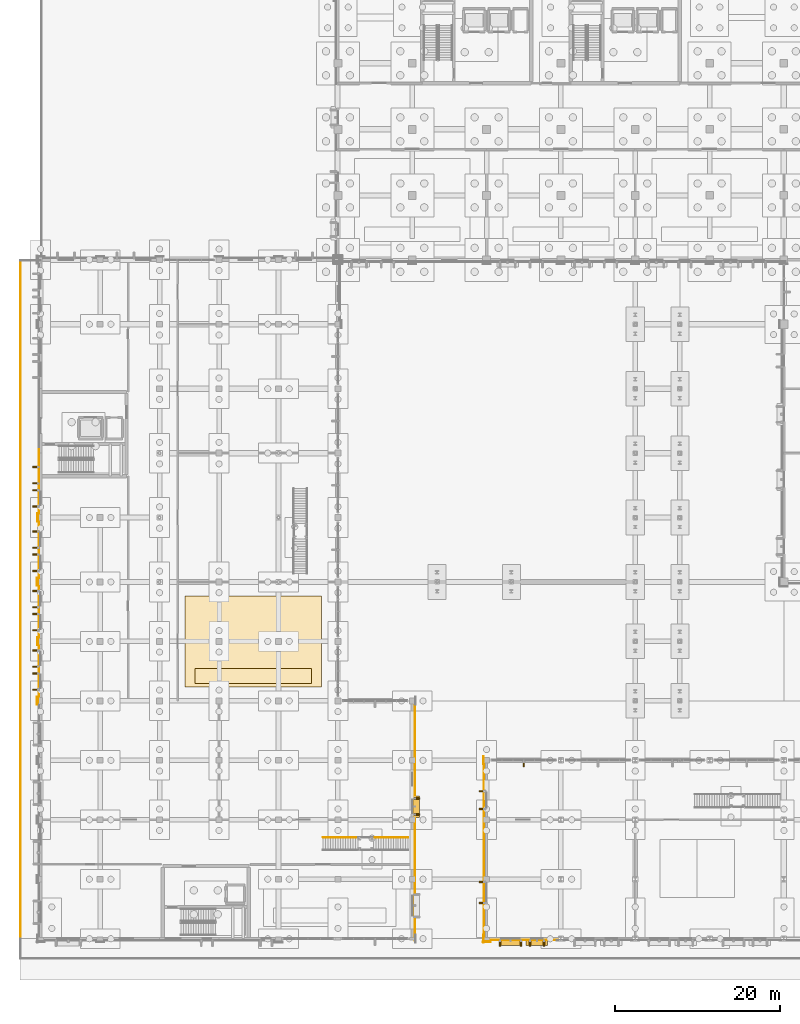
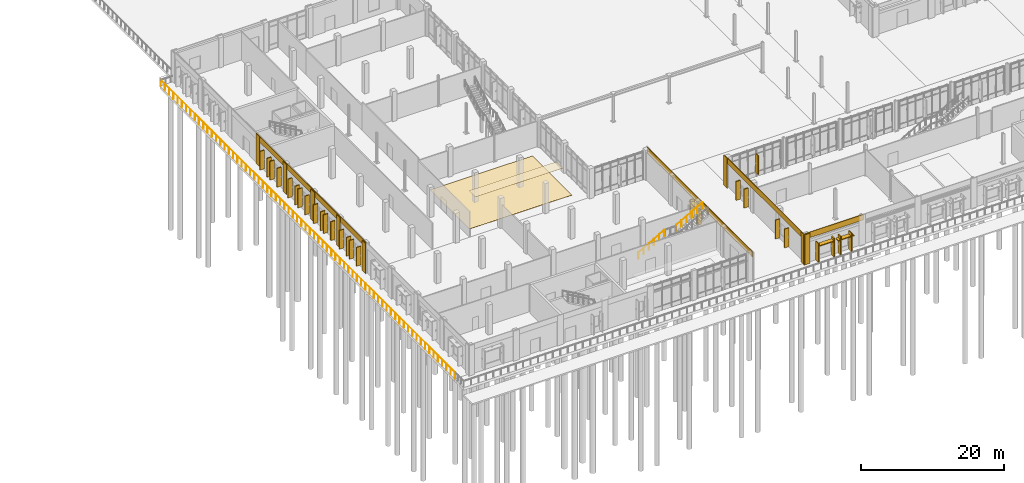
# One storey, part 81 of 94: 30 shading devices, 17 coverings, 3 railings.
"""IFC4 building model written with IfcOpenShell, lengths in metres."""

import ifcopenshell
import ifcopenshell.guid

model = None  # the IFC model being written
_history = None  # IfcOwnerHistory: only IFC2X3 demands one
_inside = {}  # id of a spatial element -> (the spatial element, [elements in it])
_under = {}  # id of a project, library or spatial element -> (it, [spatial elements below it])
_declared = {}  # id of a project -> (the project, [libraries it declares])
_typed = {}  # id of a type object -> (the type object, [elements of that type])
_made_of = {}  # id of a material, layer set ... -> (it, [elements and type objects made of it])


def new_model(schema):
    """Start an empty IFC model of exactly this schema.

    Asked for "IFC4X3", IfcOpenShell would pick the latest addendum, in which some entities
    have other attributes; the version numbers below select the first issue.
    IFC2X3 requires an IfcOwnerHistory on every rooted entity: one is made here for all.
    """
    global model, _history
    if schema == "IFC4X3":
        model = ifcopenshell.file(schema_version=(4, 3, 0, 0))
    else:
        model = ifcopenshell.file(schema=schema)
    _inside.clear()
    _under.clear()
    _declared.clear()
    _typed.clear()
    _made_of.clear()
    _history = None
    if model.schema == "IFC2X3":
        org = make("IfcOrganization", Name="unknown")
        user = make(
            "IfcPersonAndOrganization",
            ThePerson=make("IfcPerson", FamilyName="unknown"),
            TheOrganization=org,
        )
        app = make(
            "IfcApplication",
            ApplicationDeveloper=org,
            Version="unknown",
            ApplicationFullName="unknown",
            ApplicationIdentifier="unknown",
        )
        _history = make(
            "IfcOwnerHistory",
            OwningUser=user,
            OwningApplication=app,
            ChangeAction="ADDED",
            CreationDate=0,
        )
    return model


def make(cls, **values):
    """One entity of the class cls with the attributes given. An attribute that is None is left unset."""
    return model.create_entity(
        cls, **{name: value for name, value in values.items() if value is not None}
    )


def rooted(cls, **values):
    """An entity with a GlobalId (a new one), such as an element, a storey or a relation."""
    return make(cls, GlobalId=ifcopenshell.guid.new(), OwnerHistory=_history, **values)


def si_unit(unit_type, name, prefix=None):
    """IfcSIUnit, for example si_unit("LENGTHUNIT", "METRE", prefix="MILLI")."""
    return make("IfcSIUnit", UnitType=unit_type, Prefix=prefix, Name=name)


def assignment(units):
    """IfcUnitAssignment: the units of a project."""
    return None if units is None else make("IfcUnitAssignment", Units=units)


def point(xyz):
    """IfcCartesianPoint."""
    return None if xyz is None else make("IfcCartesianPoint", Coordinates=xyz)


def direction(xyz):
    """IfcDirection."""
    return None if xyz is None else make("IfcDirection", DirectionRatios=xyz)


def frame(location, z_axis=None, x_axis=None):
    """IfcAxis2Placement3D, a coordinate frame: its origin and axes. An axis left out is left unset."""
    return make(
        "IfcAxis2Placement3D",
        Location=point(location),
        Axis=direction(z_axis),
        RefDirection=direction(x_axis),
    )


def frame_2d(location, x_axis=None):
    """IfcAxis2Placement2D, a coordinate frame in the plane: its origin and x axis."""
    return make(
        "IfcAxis2Placement2D", Location=point(location), RefDirection=direction(x_axis)
    )


def origin():
    """The frame at (0, 0, 0) with its axes left unset."""
    return frame((0.0, 0.0, 0.0))


def origin_2d():
    """The frame at (0, 0) in the plane with its x axis left unset."""
    return frame_2d((0.0, 0.0))


def place(relative_to, where):
    """IfcLocalPlacement: puts the frame where relative to a parent placement (None: the world)."""
    return make(
        "IfcLocalPlacement", PlacementRelTo=relative_to, RelativePlacement=where
    )


def context(
    kind, dimensions, precision=None, world=None, true_north=None, identifier=None
):
    """IfcGeometricRepresentationContext, for example the 3D "Model" context."""
    return make(
        "IfcGeometricRepresentationContext",
        ContextIdentifier=identifier,
        ContextType=kind,
        CoordinateSpaceDimension=dimensions,
        Precision=precision,
        WorldCoordinateSystem=world,
        TrueNorth=true_north,
    )


def subcontext(parent, identifier, kind, view, scale=None):
    """IfcGeometricRepresentationSubContext, for example "Body" below "Model"."""
    return make(
        "IfcGeometricRepresentationSubContext",
        ContextIdentifier=identifier,
        ContextType=kind,
        ParentContext=parent,
        TargetScale=scale,
        TargetView=view,
    )


def project(units=None, contexts=None):
    """IfcProject with its units and contexts."""
    return rooted(
        "IfcProject",
        Name="project",
        RepresentationContexts=contexts,
        UnitsInContext=assignment(units),
    )


def spatial(cls, under=None, at=None, **own):
    """A site, building, storey or space (cls), placed at a placement, below another one or the project."""
    s = rooted(cls, ObjectPlacement=at, **own)
    if under is not None:
        _under.setdefault(under.id(), (under, []))[1].append(s)
    return s


def polyline(points):
    """IfcPolyline through the points."""
    return make("IfcPolyline", Points=[point(p) for p in points])


def profile(cls, at=None, kind="AREA", **sizes):
    """A parametric profile (cls). Its sizes go by their IFC names, for example OverallWidth=200.0."""
    return make(cls, ProfileType=kind, Position=at, **sizes)


def rectangle(**sizes):
    """IfcRectangleProfileDef."""
    return profile("IfcRectangleProfileDef", **sizes)


def circle(**sizes):
    """IfcCircleProfileDef."""
    return profile("IfcCircleProfileDef", **sizes)


def outline(outer, holes=None, kind="AREA"):
    """IfcArbitraryClosedProfileDef: a profile drawn as a closed curve; with holes, ...WithVoids."""
    if holes is None:
        return make("IfcArbitraryClosedProfileDef", ProfileType=kind, OuterCurve=outer)
    return make(
        "IfcArbitraryProfileDefWithVoids",
        ProfileType=kind,
        OuterCurve=outer,
        InnerCurves=holes,
    )


def extrude(swept, where, along, depth):
    """IfcExtrudedAreaSolid: the profile swept, set in the frame where, extruded along a direction by depth."""
    return make(
        "IfcExtrudedAreaSolid",
        SweptArea=swept,
        Position=where,
        ExtrudedDirection=direction(along),
        Depth=depth,
    )


def shape(context_of_items, identifier, shape_type, items):
    """IfcShapeRepresentation: the items that make up one representation, for example the "Body"."""
    return make(
        "IfcShapeRepresentation",
        ContextOfItems=context_of_items,
        RepresentationIdentifier=identifier,
        RepresentationType=shape_type,
        Items=items,
    )


def material(Name=None, Category=None):
    """IfcMaterial."""
    return make("IfcMaterial", Name=Name, Category=Category)


def layer(
    of_material, thickness, ventilated=None, Name=None, Category=None, Priority=None
):
    """IfcMaterialLayer: one layer of a wall or slab, of a material (None: an air gap)."""
    return make(
        "IfcMaterialLayer",
        Material=of_material,
        LayerThickness=thickness,
        IsVentilated=ventilated,
        Name=Name,
        Category=Category,
        Priority=Priority,
    )


def layer_set(layers, Name=None):
    """IfcMaterialLayerSet."""
    return make("IfcMaterialLayerSet", MaterialLayers=layers, LayerSetName=Name)


def made_of(thing, what):
    """Note that an element or type object is made of a material, layer set ...; save() writes the relation."""
    if what is not None:
        _made_of.setdefault(what.id(), (what, []))[1].append(thing)
    return thing


def type_object(cls, material=None, **own):
    """A type object (cls), such as IfcWallType, which elements share."""
    return made_of(rooted(cls, **own), material)


def element(
    cls,
    number,
    at=None,
    inside=None,
    cuts=None,
    type_object=None,
    material=None,
    context=None,
    identifier="Body",
    shape_type=None,
    held_by="IfcProductDefinitionShape",
    body=None,
    shapes=None,
    **own,
):
    """One element of the class cls, such as IfcWall. Its Tag is "e" and its number.

    at: its placement. inside: the storey or other place that contains it. cuts: it is an
    opening in that element (IfcRelVoidsElement). A single representation is given by context,
    identifier, shape_type and body (its items); several are given by shapes. held_by: the class
    of the entity that holds the representations. save() writes the other relations.
    """
    e = rooted(cls, Tag="e%d" % number, ObjectPlacement=at, **own)
    if body is not None:
        shapes = [shape(context, identifier, shape_type, body)]
    if shapes is not None:
        e.Representation = make(held_by, Representations=shapes)
    if inside is not None:
        _inside.setdefault(inside.id(), (inside, []))[1].append(e)
    if cuts is not None:
        rooted(
            "IfcRelVoidsElement", RelatingBuildingElement=cuts, RelatedOpeningElement=e
        )
    if type_object is not None:
        _typed.setdefault(type_object.id(), (type_object, []))[1].append(e)
    return made_of(e, material)


def aggregate(whole, parts):
    """IfcRelAggregates: a whole, such as a stair, and the parts it consists of."""
    return rooted("IfcRelAggregates", RelatingObject=whole, RelatedObjects=parts)


def save(model, path):
    """Write the relations noted so far, then the file.

    IfcRelAggregates (storeys below a building ...), IfcRelContainedInSpatialStructure (elements
    in a storey), IfcRelDefinesByType, IfcRelAssociatesMaterial and IfcRelDeclares: one each for
    every whole, place, type object, material and project.
    """
    for whole, parts in _under.values():
        aggregate(whole, parts)
    for where, things in _inside.values():
        rooted(
            "IfcRelContainedInSpatialStructure",
            RelatedElements=things,
            RelatingStructure=where,
        )
    for kind, things in _typed.values():
        rooted("IfcRelDefinesByType", RelatedObjects=things, RelatingType=kind)
    for what, things in _made_of.values():
        rooted("IfcRelAssociatesMaterial", RelatedObjects=things, RelatingMaterial=what)
    for by, libraries in _declared.values():
        rooted("IfcRelDeclares", RelatingContext=by, RelatedDefinitions=libraries)
    model.write(path)


model = new_model("IFC4")

# Units and contexts
model_context = context("Model", 3, precision=1e-05, world=origin(), true_north=direction((0.0, 1.0)))
body_context = subcontext(model_context, "Body", "Model", "MODEL_VIEW")
ifc_project = project(units=[si_unit("LENGTHUNIT", "METRE"), si_unit("AREAUNIT", "SQUARE_METRE"), si_unit("VOLUMEUNIT", "CUBIC_METRE"), si_unit("PLANEANGLEUNIT", "RADIAN"), si_unit("MASSUNIT", "GRAM", prefix="KILO")], contexts=[model_context])

# Site, building, storey
site_placement = place(None, origin())
site = spatial("IfcSite", under=ifc_project, at=site_placement, CompositionType="ELEMENT")
building_placement = place(site_placement, origin())
building = spatial("IfcBuilding", under=site, at=building_placement, Name="Vervanel Yard Central Library", CompositionType="ELEMENT")
storey_placement = place(building_placement, origin())
storey = spatial("IfcBuildingStorey", under=building, at=storey_placement, Name="L00", CompositionType="ELEMENT", Elevation=0.0)

# Coverings
ifc_material_1 = material(Name="Precast concrete C45/55", Category="concrete")
ifc_layer_1 = layer(ifc_material_1, 0.0849609375, Category="concrete")
ifc_layer_set_1 = layer_set([ifc_layer_1], Name="Precast concrete C45/55")
covering_type_1 = type_object("IfcCoveringType", Name="Bush-Hammered Precast Architectural Cladding Panel", PredefinedType="CLADDING", material=ifc_layer_set_1)
covering_1_placement = place(storey_placement, frame((-0.2099609375, 32.39990234375, 4.179931640625), z_axis=(0.0, 0.0, 1.0), x_axis=(0.0, 1.0, 0.0)))
element("IfcCovering", 1, at=covering_1_placement, inside=storey, type_object=covering_type_1, Name="L00 Precast Concrete Spandrel Cornice EWALL-L00-0086", PredefinedType="CLADDING", context=body_context, shape_type="SweptSolid", body=[
    extrude(rectangle(XDim=7.64990234375, YDim=0.0849609375, at=origin_2d()), origin(), (0.0, 0.0, 1.0), 0.93994140625),
])
for number, where, z_axis, x_axis, name in (
    (2, (-0.4326171875, 28.800048828125, 0.0), (0.0, 0.0, 1.0), (0.0, 1.0, 0.0), "L00 Precast Concrete Pier Pilaster EWALL-L00-0086-A"),
    (3, (-0.392578125, 36.0, 0.0), (0.0, 0.0, 1.0), (0.0, 1.0, 0.0), "L00 Precast Concrete Pier Pilaster EWALL-L00-0086-B"),
):
    element("IfcCovering", number, at=place(storey_placement, frame(where, z_axis=z_axis, x_axis=x_axis)), inside=storey, type_object=covering_type_1, Name=name, PredefinedType="CLADDING", context=body_context, shape_type="SweptSolid", body=[
        extrude(rectangle(XDim=0.97998046875, YDim=0.0849609375, at=origin_2d()), origin(), (0.0, 0.0, 1.0), 5.1201171875),
    ])
covering_2_placement = place(storey_placement, frame((-0.2099609375, 39.60009765625, 4.179931640625), z_axis=(0.0, 0.0, 1.0), x_axis=(0.0, 1.0, 0.0)))
element("IfcCovering", 4, at=covering_2_placement, inside=storey, type_object=covering_type_1, Name="L00 Precast Concrete Spandrel Cornice EWALL-L00-0087", PredefinedType="CLADDING", context=body_context, shape_type="SweptSolid", body=[
    extrude(rectangle(XDim=7.64990234375, YDim=0.0849609375, at=origin_2d()), origin(), (0.0, 0.0, 1.0), 0.93994140625),
])
covering_3_placement = place(storey_placement, frame((-0.402587890625, 43.199951171875, 0.0), z_axis=(0.0, 0.0, 1.0), x_axis=(0.0, 1.0, 0.0)))
element("IfcCovering", 5, at=covering_3_placement, inside=storey, type_object=covering_type_1, Name="L00 Precast Concrete Pier Pilaster EWALL-L00-0087-B", PredefinedType="CLADDING", context=body_context, shape_type="SweptSolid", body=[
    extrude(rectangle(XDim=0.97998046875, YDim=0.0849609375, at=origin_2d()), origin(), (0.0, 0.0, 1.0), 5.1201171875),
])
covering_4_placement = place(storey_placement, frame((-0.2099609375, 47.10009765625, 4.179931640625), z_axis=(0.0, 0.0, 1.0), x_axis=(0.0, 1.0, 0.0)))
element("IfcCovering", 6, at=covering_4_placement, inside=storey, type_object=covering_type_1, Name="L00 Precast Concrete Spandrel Cornice EWALL-L00-0088", PredefinedType="CLADDING", context=body_context, shape_type="SweptSolid", body=[
    extrude(rectangle(XDim=8.25, YDim=0.0849609375, at=origin_2d()), origin(), (0.0, 0.0, 1.0), 0.93994140625),
])
covering_5_placement = place(storey_placement, frame((-0.392578125, 51.0, 0.0), z_axis=(0.0, 0.0, 1.0), x_axis=(0.0, 1.0, 0.0)))
element("IfcCovering", 7, at=covering_5_placement, inside=storey, type_object=covering_type_1, Name="L00 Precast Concrete Pier Pilaster EWALL-L00-0088-B", PredefinedType="CLADDING", context=body_context, shape_type="SweptSolid", body=[
    extrude(rectangle(XDim=0.97998046875, YDim=0.0849609375, at=origin_2d()), origin(), (0.0, 0.0, 1.0), 5.1201171875),
])
covering_6_placement = place(storey_placement, frame((-0.2099609375, 54.89990234375, 4.179931640625), z_axis=(0.0, 0.0, 1.0), x_axis=(0.0, 1.0, 0.0)))
element("IfcCovering", 8, at=covering_6_placement, inside=storey, type_object=covering_type_1, Name="L00 Precast Concrete Spandrel Cornice EWALL-L00-0089", PredefinedType="CLADDING", context=body_context, shape_type="SweptSolid", body=[
    extrude(rectangle(XDim=8.25, YDim=0.0849609375, at=origin_2d()), origin(), (0.0, 0.0, 1.0), 0.93994140625),
])
covering_7_placement = place(storey_placement, frame((-0.21240234375, 58.800048828125, 0.0), z_axis=(0.0, 0.0, 1.0), x_axis=(0.0, 1.0, 0.0)))
element("IfcCovering", 9, at=covering_7_placement, inside=storey, type_object=covering_type_1, Name="L00 Precast Concrete Pier Pilaster EWALL-L00-0089-B", PredefinedType="CLADDING", context=body_context, shape_type="SweptSolid", body=[
    extrude(rectangle(XDim=0.97998046875, YDim=0.0849609375, at=origin_2d()), origin(), (0.0, 0.0, 1.0), 5.1201171875),
])
covering_8_placement = place(storey_placement, frame((58.5, -0.169921875, 4.179931640625), z_axis=(0.0, 0.0, 1.0), x_axis=(1.0, 0.0, 0.0)))
element("IfcCovering", 10, at=covering_8_placement, inside=storey, type_object=covering_type_1, Name="L00 Precast Concrete Spandrel Cornice EWALL-L00-0192", PredefinedType="CLADDING", context=body_context, shape_type="SweptSolid", body=[
    extrude(rectangle(XDim=9.449951171875, YDim=0.0849609375, at=origin_2d()), origin(), (0.0, 0.0, 1.0), 0.93994140625),
])
covering_9_placement = place(storey_placement, frame((54.0, -0.392578125, 0.0), z_axis=(0.0, 0.0, 1.0), x_axis=(1.0, 0.0, 0.0)))
element("IfcCovering", 11, at=covering_9_placement, inside=storey, type_object=covering_type_1, Name="L00 Precast Concrete Pier Pilaster EWALL-L00-0192-A", PredefinedType="CLADDING", context=body_context, shape_type="SweptSolid", body=[
    extrude(rectangle(XDim=0.97998046875, YDim=0.0849609375, at=origin_2d()), origin(), (0.0, 0.0, 1.0), 5.1201171875),
])
covering_10_placement = place(storey_placement, frame((53.68505859375, 10.800048828125, 4.179931640625), z_axis=(0.0, 0.0, 1.0), x_axis=(0.0, 1.0, 0.0)))
element("IfcCovering", 12, at=covering_10_placement, inside=storey, type_object=covering_type_1, Name="L00 Precast Concrete Spandrel Cornice EWALL-L00-0198", PredefinedType="CLADDING", context=body_context, shape_type="SweptSolid", body=[
    extrude(rectangle(XDim=22.050048828125, YDim=0.0849609375, at=origin_2d()), origin(), (0.0, 0.0, 1.0), 0.93994140625),
])
for number, where, z_axis, x_axis, name in (
    (13, (53.607421875, 0.0, 0.0), (0.0, 0.0, 1.0), (0.0, 1.0, 0.0), "L00 Precast Concrete Pier Pilaster EWALL-L00-0198-A"),
    (14, (53.607421875, 21.60009765625, 0.0), (0.0, 0.0, 1.0), (0.0, 1.0, 0.0), "L00 Precast Concrete Pier Pilaster EWALL-L00-0198-B"),
):
    element("IfcCovering", number, at=place(storey_placement, frame(where, z_axis=z_axis, x_axis=x_axis)), inside=storey, type_object=covering_type_1, Name=name, PredefinedType="CLADDING", context=body_context, shape_type="SweptSolid", body=[
        extrude(rectangle(XDim=0.97998046875, YDim=0.0849609375, at=origin_2d()), origin(), (0.0, 0.0, 1.0), 5.1201171875),
    ])
covering_11_placement = place(storey_placement, frame((45.31494140625, 14.39990234375, 4.179931640625), z_axis=(0.0, 0.0, 1.0), x_axis=(0.0, 1.0, 0.0)))
element("IfcCovering", 15, at=covering_11_placement, inside=storey, type_object=covering_type_1, Name="L00 Precast Concrete Spandrel Cornice EWALL-L00-0221", PredefinedType="CLADDING", context=body_context, shape_type="SweptSolid", body=[
    extrude(rectangle(XDim=29.25, YDim=0.0849609375, at=origin_2d()), origin(), (0.0, 0.0, 1.0), 0.93994140625),
])

# Railing
ifc_material_2 = material(Name="Brushed stainless steel AISI 316", Category="steel")
railing_type_1 = type_object("IfcRailingType", Name="Exterior Terrace Guardrail 1100", PredefinedType="GUARDRAIL", material=ifc_material_2)
railing_placement = place(storey_placement, frame((-2.419921875, 0.0, 0.0)))
element("IfcRailing", 16, at=railing_placement, inside=storey, type_object=railing_type_1, Name="L00 West Street Plinth Promenade Edge Guard 13", PredefinedType="GUARDRAIL", context=body_context, shape_type="SweptSolid", body=[
    extrude(circle(Radius=0.02392578125, at=origin_2d()), frame((0.0, 0.0, 1.076171875), z_axis=(0.0, 1.0, 0.0), x_axis=(-1.0, 0.0, 0.0)), (0.0, 0.0, 1.0), 82.1201171875),
    extrude(circle(Radius=0.02099609375, at=origin_2d()), origin(), (0.0, 0.0, 1.0), 1.052001953125),
    extrude(circle(Radius=0.02099609375, at=origin_2d()), frame((0.0, 1.190185546875, 0.0)), (0.0, 0.0, 1.0), 1.052001953125),
    extrude(circle(Radius=0.02099609375, at=origin_2d()), frame((0.0, 2.38037109375, 0.0)), (0.0, 0.0, 1.0), 1.052001953125),
    extrude(circle(Radius=0.02099609375, at=origin_2d()), frame((0.0, 3.570556640625, 0.0)), (0.0, 0.0, 1.0), 1.052001953125),
    extrude(circle(Radius=0.02099609375, at=origin_2d()), frame((0.0, 4.760498046875, 0.0)), (0.0, 0.0, 1.0), 1.052001953125),
    extrude(circle(Radius=0.02099609375, at=origin_2d()), frame((0.0, 5.95068359375, 0.0)), (0.0, 0.0, 1.0), 1.052001953125),
    extrude(circle(Radius=0.02099609375, at=origin_2d()), frame((0.0, 7.140869140625, 0.0)), (0.0, 0.0, 1.0), 1.052001953125),
    extrude(circle(Radius=0.02099609375, at=origin_2d()), frame((0.0, 8.3310546875, 0.0)), (0.0, 0.0, 1.0), 1.052001953125),
    extrude(circle(Radius=0.02099609375, at=origin_2d()), frame((0.0, 9.521240234375, 0.0)), (0.0, 0.0, 1.0), 1.052001953125),
    extrude(circle(Radius=0.02099609375, at=origin_2d()), frame((0.0, 10.71142578125, 0.0)), (0.0, 0.0, 1.0), 1.052001953125),
    extrude(circle(Radius=0.02099609375, at=origin_2d()), frame((0.0, 11.9013671875, 0.0)), (0.0, 0.0, 1.0), 1.052001953125),
    extrude(circle(Radius=0.02099609375, at=origin_2d()), frame((0.0, 13.091552734375, 0.0)), (0.0, 0.0, 1.0), 1.052001953125),
    extrude(circle(Radius=0.02099609375, at=origin_2d()), frame((0.0, 14.28173828125, 0.0)), (0.0, 0.0, 1.0), 1.052001953125),
    extrude(circle(Radius=0.02099609375, at=origin_2d()), frame((0.0, 15.471923828125, 0.0)), (0.0, 0.0, 1.0), 1.052001953125),
    extrude(circle(Radius=0.02099609375, at=origin_2d()), frame((0.0, 16.662109375, 0.0)), (0.0, 0.0, 1.0), 1.052001953125),
    extrude(circle(Radius=0.02099609375, at=origin_2d()), frame((0.0, 17.852294921875, 0.0)), (0.0, 0.0, 1.0), 1.052001953125),
    extrude(circle(Radius=0.02099609375, at=origin_2d()), frame((0.0, 19.042236328125, 0.0)), (0.0, 0.0, 1.0), 1.052001953125),
    extrude(circle(Radius=0.02099609375, at=origin_2d()), frame((0.0, 20.232421875, 0.0)), (0.0, 0.0, 1.0), 1.052001953125),
    extrude(circle(Radius=0.02099609375, at=origin_2d()), frame((0.0, 21.422607421875, 0.0)), (0.0, 0.0, 1.0), 1.052001953125),
    extrude(circle(Radius=0.02099609375, at=origin_2d()), frame((0.0, 22.61279296875, 0.0)), (0.0, 0.0, 1.0), 1.052001953125),
    extrude(circle(Radius=0.02099609375, at=origin_2d()), frame((0.0, 23.802978515625, 0.0)), (0.0, 0.0, 1.0), 1.052001953125),
    extrude(circle(Radius=0.02099609375, at=origin_2d()), frame((0.0, 24.9931640625, 0.0)), (0.0, 0.0, 1.0), 1.052001953125),
    extrude(circle(Radius=0.02099609375, at=origin_2d()), frame((0.0, 26.18310546875, 0.0)), (0.0, 0.0, 1.0), 1.052001953125),
    extrude(circle(Radius=0.02099609375, at=origin_2d()), frame((0.0, 27.373291015625, 0.0)), (0.0, 0.0, 1.0), 1.052001953125),
    extrude(circle(Radius=0.02099609375, at=origin_2d()), frame((0.0, 28.5634765625, 0.0)), (0.0, 0.0, 1.0), 1.052001953125),
    extrude(circle(Radius=0.02099609375, at=origin_2d()), frame((0.0, 29.753662109375, 0.0)), (0.0, 0.0, 1.0), 1.052001953125),
    extrude(circle(Radius=0.02099609375, at=origin_2d()), frame((0.0, 30.94384765625, 0.0)), (0.0, 0.0, 1.0), 1.052001953125),
    extrude(circle(Radius=0.02099609375, at=origin_2d()), frame((0.0, 32.134033203125, 0.0)), (0.0, 0.0, 1.0), 1.052001953125),
    extrude(circle(Radius=0.02099609375, at=origin_2d()), frame((0.0, 33.32421875, 0.0)), (0.0, 0.0, 1.0), 1.052001953125),
    extrude(circle(Radius=0.02099609375, at=origin_2d()), frame((0.0, 34.51416015625, 0.0)), (0.0, 0.0, 1.0), 1.052001953125),
    extrude(circle(Radius=0.02099609375, at=origin_2d()), frame((0.0, 35.704345703125, 0.0)), (0.0, 0.0, 1.0), 1.052001953125),
    extrude(circle(Radius=0.02099609375, at=origin_2d()), frame((0.0, 36.89453125, 0.0)), (0.0, 0.0, 1.0), 1.052001953125),
    extrude(circle(Radius=0.02099609375, at=origin_2d()), frame((0.0, 38.084716796875, 0.0)), (0.0, 0.0, 1.0), 1.052001953125),
    extrude(circle(Radius=0.02099609375, at=origin_2d()), frame((0.0, 39.27490234375, 0.0)), (0.0, 0.0, 1.0), 1.052001953125),
    extrude(circle(Radius=0.02099609375, at=origin_2d()), frame((0.0, 40.465087890625, 0.0)), (0.0, 0.0, 1.0), 1.052001953125),
    extrude(circle(Radius=0.02099609375, at=origin_2d()), frame((0.0, 41.655029296875, 0.0)), (0.0, 0.0, 1.0), 1.052001953125),
    extrude(circle(Radius=0.02099609375, at=origin_2d()), frame((0.0, 42.84521484375, 0.0)), (0.0, 0.0, 1.0), 1.052001953125),
    extrude(circle(Radius=0.02099609375, at=origin_2d()), frame((0.0, 44.035400390625, 0.0)), (0.0, 0.0, 1.0), 1.052001953125),
    extrude(circle(Radius=0.02099609375, at=origin_2d()), frame((0.0, 45.2255859375, 0.0)), (0.0, 0.0, 1.0), 1.052001953125),
    extrude(circle(Radius=0.02099609375, at=origin_2d()), frame((0.0, 46.415771484375, 0.0)), (0.0, 0.0, 1.0), 1.052001953125),
    extrude(circle(Radius=0.02099609375, at=origin_2d()), frame((0.0, 47.60595703125, 0.0)), (0.0, 0.0, 1.0), 1.052001953125),
    extrude(circle(Radius=0.02099609375, at=origin_2d()), frame((0.0, 48.7958984375, 0.0)), (0.0, 0.0, 1.0), 1.052001953125),
    extrude(circle(Radius=0.02099609375, at=origin_2d()), frame((0.0, 49.986083984375, 0.0)), (0.0, 0.0, 1.0), 1.052001953125),
    extrude(circle(Radius=0.02099609375, at=origin_2d()), frame((0.0, 51.17626953125, 0.0)), (0.0, 0.0, 1.0), 1.052001953125),
    extrude(circle(Radius=0.02099609375, at=origin_2d()), frame((0.0, 52.366455078125, 0.0)), (0.0, 0.0, 1.0), 1.052001953125),
    extrude(circle(Radius=0.02099609375, at=origin_2d()), frame((0.0, 53.556640625, 0.0)), (0.0, 0.0, 1.0), 1.052001953125),
    extrude(circle(Radius=0.02099609375, at=origin_2d()), frame((0.0, 54.746826171875, 0.0)), (0.0, 0.0, 1.0), 1.052001953125),
    extrude(circle(Radius=0.02099609375, at=origin_2d()), frame((0.0, 55.93701171875, 0.0)), (0.0, 0.0, 1.0), 1.052001953125),
    extrude(circle(Radius=0.02099609375, at=origin_2d()), frame((0.0, 57.126953125, 0.0)), (0.0, 0.0, 1.0), 1.052001953125),
    extrude(circle(Radius=0.02099609375, at=origin_2d()), frame((0.0, 58.317138671875, 0.0)), (0.0, 0.0, 1.0), 1.052001953125),
    extrude(circle(Radius=0.02099609375, at=origin_2d()), frame((0.0, 59.50732421875, 0.0)), (0.0, 0.0, 1.0), 1.052001953125),
    extrude(circle(Radius=0.02099609375, at=origin_2d()), frame((0.0, 60.697509765625, 0.0)), (0.0, 0.0, 1.0), 1.052001953125),
    extrude(circle(Radius=0.02099609375, at=origin_2d()), frame((0.0, 61.8876953125, 0.0)), (0.0, 0.0, 1.0), 1.052001953125),
    extrude(circle(Radius=0.02099609375, at=origin_2d()), frame((0.0, 63.077880859375, 0.0)), (0.0, 0.0, 1.0), 1.052001953125),
    extrude(circle(Radius=0.02099609375, at=origin_2d()), frame((0.0, 64.267822265625, 0.0)), (0.0, 0.0, 1.0), 1.052001953125),
    extrude(circle(Radius=0.02099609375, at=origin_2d()), frame((0.0, 65.4580078125, 0.0)), (0.0, 0.0, 1.0), 1.052001953125),
    extrude(circle(Radius=0.02099609375, at=origin_2d()), frame((0.0, 66.648193359375, 0.0)), (0.0, 0.0, 1.0), 1.052001953125),
    extrude(circle(Radius=0.02099609375, at=origin_2d()), frame((0.0, 67.83837890625, 0.0)), (0.0, 0.0, 1.0), 1.052001953125),
    extrude(circle(Radius=0.02099609375, at=origin_2d()), frame((0.0, 69.028564453125, 0.0)), (0.0, 0.0, 1.0), 1.052001953125),
    extrude(circle(Radius=0.02099609375, at=origin_2d()), frame((0.0, 70.21875, 0.0)), (0.0, 0.0, 1.0), 1.052001953125),
    extrude(circle(Radius=0.02099609375, at=origin_2d()), frame((0.0, 71.40869140625, 0.0)), (0.0, 0.0, 1.0), 1.052001953125),
    extrude(circle(Radius=0.02099609375, at=origin_2d()), frame((0.0, 72.598876953125, 0.0)), (0.0, 0.0, 1.0), 1.052001953125),
    extrude(circle(Radius=0.02099609375, at=origin_2d()), frame((0.0, 73.7890625, 0.0)), (0.0, 0.0, 1.0), 1.052001953125),
    extrude(circle(Radius=0.02099609375, at=origin_2d()), frame((0.0, 74.979248046875, 0.0)), (0.0, 0.0, 1.0), 1.052001953125),
    extrude(circle(Radius=0.02099609375, at=origin_2d()), frame((0.0, 76.16943359375, 0.0)), (0.0, 0.0, 1.0), 1.052001953125),
    extrude(circle(Radius=0.02099609375, at=origin_2d()), frame((0.0, 77.359619140625, 0.0)), (0.0, 0.0, 1.0), 1.052001953125),
    extrude(circle(Radius=0.02099609375, at=origin_2d()), frame((0.0, 78.549560546875, 0.0)), (0.0, 0.0, 1.0), 1.052001953125),
    extrude(circle(Radius=0.02099609375, at=origin_2d()), frame((0.0, 79.73974609375, 0.0)), (0.0, 0.0, 1.0), 1.052001953125),
    extrude(circle(Radius=0.02099609375, at=origin_2d()), frame((0.0, 80.929931640625, 0.0)), (0.0, 0.0, 1.0), 1.052001953125),
    extrude(circle(Radius=0.02099609375, at=origin_2d()), frame((0.0, 82.1201171875, 0.0)), (0.0, 0.0, 1.0), 1.052001953125),
])

# Shading devices
shading_device_type_1 = type_object("IfcShadingDeviceType", Name="Horizontal Precast Brise-Soleil Sunhood 2600x680x140", PredefinedType="JALOUSIE", material=ifc_material_1)
for number, where, z_axis, x_axis, name in (
    (17, (56.89990234375, -0.5, 2.6298828125), (0.0, 0.0, 1.0), (1.0, 0.0, 0.0), "L00 Precast Horizontal Sunhood 102"),
    (18, (60.10009765625, -0.5, 2.47998046875), (0.0, 0.0, 1.0), (1.0, 0.0, 0.0), "L00 Precast Horizontal Sunhood 103"),
    (19, (45.5400390625, 16.0, 2.97998046875), (0.0, 0.0, 1.0), (0.0, 1.0, 0.0), "L00 Precast Horizontal Sunhood 127"),
):
    element("IfcShadingDevice", number, at=place(storey_placement, frame(where, z_axis=z_axis, x_axis=x_axis)), inside=storey, type_object=shading_device_type_1, Name=name, PredefinedType="JALOUSIE", context=body_context, shape_type="SweptSolid", body=[
        extrude(rectangle(XDim=2.60009765625, YDim=0.679931640625, at=origin_2d()), origin(), (0.0, 0.0, 1.0), 0.139892578125),
    ])

# Railings
ifc_material_3 = material(Name="Galvanized painted steelwork ASTM A500 Grade C", Category="steel")
railing_type_2 = type_object("IfcRailingType", Name="Painted Steel Guardrail 1100", PredefinedType="GUARDRAIL", material=ifc_material_3)
for number, where, name in (
    (20, (34.199951171875, 12.27490234375, 0.169921875), "L00 Feature Stair Guard FST-07-L00 F1 L"),
    (21, (40.300048828125, 12.27490234375, 2.719970703125), "L00 Feature Stair Guard FST-07-L00 F2 L"),
):
    element("IfcRailing", number, at=place(storey_placement, frame(where)), inside=storey, type_object=railing_type_2, Name=name, PredefinedType="GUARDRAIL", context=body_context, shape_type="SweptSolid", body=[
        extrude(circle(Radius=0.02392578125, at=origin_2d()), frame((0.0, 0.0, 1.076171875), z_axis=(0.870008446991, 0.0, 0.493036816236), x_axis=(0.0, 1.0, 0.0)), (0.0, 0.0, 1.0), 4.827392578125),
        extrude(circle(Radius=0.02099609375, at=origin_2d()), origin(), (0.0, 0.0, 1.0), 1.052001953125),
        extrude(circle(Radius=0.02099609375, at=origin_2d()), frame((0.840087890625, 0.0, 0.47607421875)), (0.0, 0.0, 1.0), 1.052001953125),
        extrude(circle(Radius=0.02099609375, at=origin_2d()), frame((1.679931640625, 0.0, 0.9521484375)), (0.0, 0.0, 1.0), 1.052001953125),
        extrude(circle(Radius=0.02099609375, at=origin_2d()), frame((2.52001953125, 0.0, 1.427978515625)), (0.0, 0.0, 1.0), 1.052001953125),
        extrude(circle(Radius=0.02099609375, at=origin_2d()), frame((3.35986328125, 0.0, 1.904052734375)), (0.0, 0.0, 1.0), 1.052001953125),
        extrude(circle(Radius=0.02099609375, at=origin_2d()), frame((4.199951171875, 0.0, 2.380126953125)), (0.0, 0.0, 1.0), 1.052001953125),
    ])

# Coverings
ifc_material_4 = material(Name="Polished river-stone terrazzo flooring", Category="masonry")
ifc_layer_2 = layer(ifc_material_4, 0.02490234375, Category="masonry")
ifc_layer_set_2 = layer_set([ifc_layer_2], Name="Polished river-stone terrazzo flooring")
covering_type_2 = type_object("IfcCoveringType", Name="Polished River-Stone Terrazzo Flooring 25", PredefinedType="FLOORING", material=ifc_layer_set_2)
covering_12_placement = place(storey_placement, origin())
element("IfcCovering", 22, at=covering_12_placement, inside=storey, type_object=covering_type_2, Name="L00 Terrazzo Flooring Bay 4", PredefinedType="FLOORING", context=body_context, shape_type="SweptSolid", body=[
    extrude(outline(polyline([(17.5, 30.5), (34.0, 30.5), (34.0, 41.5), (17.5, 41.5), (17.5, 30.5)])), origin(), (0.0, 0.0, 1.0), 0.02490234375),
])
ifc_material_5 = material(Name="Perforated mineral-fibre acoustic ceiling", Category="gypsum")
ifc_layer_3 = layer(ifc_material_5, 0.034912109375, Category="gypsum")
ifc_layer_set_3 = layer_set([ifc_layer_3], Name="Perforated mineral-fibre acoustic ceiling")
covering_type_3 = type_object("IfcCoveringType", Name="Suspended Mineral Acoustic Ceiling 35", PredefinedType="CEILING", material=ifc_layer_set_3)
covering_13_placement = place(storey_placement, frame((0.0, 0.0, 4.764892578125)))
element("IfcCovering", 23, at=covering_13_placement, inside=storey, type_object=covering_type_3, Name="L00 Acoustic Ceiling Bay 4", PredefinedType="CEILING", context=body_context, shape_type="SweptSolid", body=[
    extrude(outline(polyline([(18.699951171875, 30.89990234375), (32.800048828125, 30.89990234375), (32.800048828125, 32.699951171875), (18.699951171875, 32.699951171875), (18.699951171875, 30.89990234375)])), origin(), (0.0, 0.0, 1.0), 0.03515625),
])

# Shading devices
shading_device_type_2 = type_object("IfcShadingDeviceType", Name="Vertical Precast Solar Fin 160x720x3200", PredefinedType="JALOUSIE", material=ifc_material_1)
for number, where, z_axis, x_axis, name in (
    (24, (-0.570068359375, 30.139892578125, 0.375), (0.0, 0.0, 1.0), (0.0, 1.0, 0.0), "L00 Precast Solar Fin 225"),
    (25, (-0.570068359375, 32.110107421875, 0.375), (0.0, 0.0, 1.0), (0.0, 1.0, 0.0), "L00 Precast Solar Fin 226"),
    (26, (-0.570068359375, 32.93994140625, 0.375), (0.0, 0.0, 1.0), (0.0, 1.0, 0.0), "L00 Precast Solar Fin 227"),
    (27, (-0.570068359375, 34.909912109375, 0.375), (0.0, 0.0, 1.0), (0.0, 1.0, 0.0), "L00 Precast Solar Fin 228"),
    (28, (-0.570068359375, 37.340087890625, 0.375), (0.0, 0.0, 1.0), (0.0, 1.0, 0.0), "L00 Precast Solar Fin 229"),
    (29, (-0.570068359375, 39.31005859375, 0.375), (0.0, 0.0, 1.0), (0.0, 1.0, 0.0), "L00 Precast Solar Fin 230"),
    (30, (-0.570068359375, 40.139892578125, 0.375), (0.0, 0.0, 1.0), (0.0, 1.0, 0.0), "L00 Precast Solar Fin 231"),
    (31, (-0.570068359375, 42.110107421875, 0.375), (0.0, 0.0, 1.0), (0.0, 1.0, 0.0), "L00 Precast Solar Fin 232"),
    (32, (-0.570068359375, 44.5400390625, 0.375), (0.0, 0.0, 1.0), (0.0, 1.0, 0.0), "L00 Precast Solar Fin 233"),
    (33, (-0.570068359375, 46.510009765625, 0.375), (0.0, 0.0, 1.0), (0.0, 1.0, 0.0), "L00 Precast Solar Fin 234"),
    (34, (-0.570068359375, 47.340087890625, 0.375), (0.0, 0.0, 1.0), (0.0, 1.0, 0.0), "L00 Precast Solar Fin 235"),
    (35, (-0.570068359375, 49.31005859375, 0.375), (0.0, 0.0, 1.0), (0.0, 1.0, 0.0), "L00 Precast Solar Fin 236"),
    (36, (-0.570068359375, 52.340087890625, 0.375), (0.0, 0.0, 1.0), (0.0, 1.0, 0.0), "L00 Precast Solar Fin 237"),
    (37, (-0.570068359375, 54.31005859375, 0.375), (0.0, 0.0, 1.0), (0.0, 1.0, 0.0), "L00 Precast Solar Fin 238"),
    (38, (-0.570068359375, 55.139892578125, 0.375), (0.0, 0.0, 1.0), (0.0, 1.0, 0.0), "L00 Precast Solar Fin 239"),
    (39, (-0.570068359375, 57.110107421875, 0.375), (0.0, 0.0, 1.0), (0.0, 1.0, 0.0), "L00 Precast Solar Fin 240"),
    (40, (55.639892578125, -0.530029296875, 0.02490234375), (0.0, 0.0, 1.0), (1.0, 0.0, 0.0), "L00 Precast Solar Fin 553"),
    (41, (58.159912109375, -0.530029296875, 0.02490234375), (0.0, 0.0, 1.0), (1.0, 0.0, 0.0), "L00 Precast Solar Fin 554"),
    (42, (59.239990234375, -0.530029296875, -0.0498046875), (0.0, 0.0, 1.0), (1.0, 0.0, 0.0), "L00 Precast Solar Fin 555"),
    (43, (60.9599609375, -0.530029296875, -0.0498046875), (0.0, 0.0, 1.0), (1.0, 0.0, 0.0), "L00 Precast Solar Fin 556"),
    (44, (58.5, 21.18994140625, 0.7900390625), (0.0, 0.0, 1.0), (1.0, 0.0, 0.0), "L00 Precast Solar Fin 571"),
    (45, (53.469970703125, 4.340087890625, 0.22509765625), (0.0, 0.0, 1.0), (0.0, 1.0, 0.0), "L00 Precast Solar Fin 577"),
    (46, (53.469970703125, 6.860107421875, 0.22509765625), (0.0, 0.0, 1.0), (0.0, 1.0, 0.0), "L00 Precast Solar Fin 578"),
    (47, (53.469970703125, 15.68994140625, 0.125), (0.0, 0.0, 1.0), (0.0, 1.0, 0.0), "L00 Precast Solar Fin 579"),
    (48, (53.469970703125, 17.860107421875, 0.125), (0.0, 0.0, 1.0), (0.0, 1.0, 0.0), "L00 Precast Solar Fin 580"),
    (49, (45.570068359375, 15.0400390625, 0.3251953125), (0.0, 0.0, 1.0), (0.0, 1.0, 0.0), "L00 Precast Solar Fin 631"),
    (50, (45.570068359375, 16.9599609375, 0.3251953125), (0.0, 0.0, 1.0), (0.0, 1.0, 0.0), "L00 Precast Solar Fin 632"),
):
    element("IfcShadingDevice", number, at=place(storey_placement, frame(where, z_axis=z_axis, x_axis=x_axis)), inside=storey, type_object=shading_device_type_2, Name=name, PredefinedType="JALOUSIE", context=body_context, shape_type="SweptSolid", body=[
        extrude(rectangle(XDim=0.159912109375, YDim=0.719970703125, at=origin_2d()), origin(), (0.0, 0.0, 1.0), 3.199951171875),
    ])

save(model, "model.ifc")
